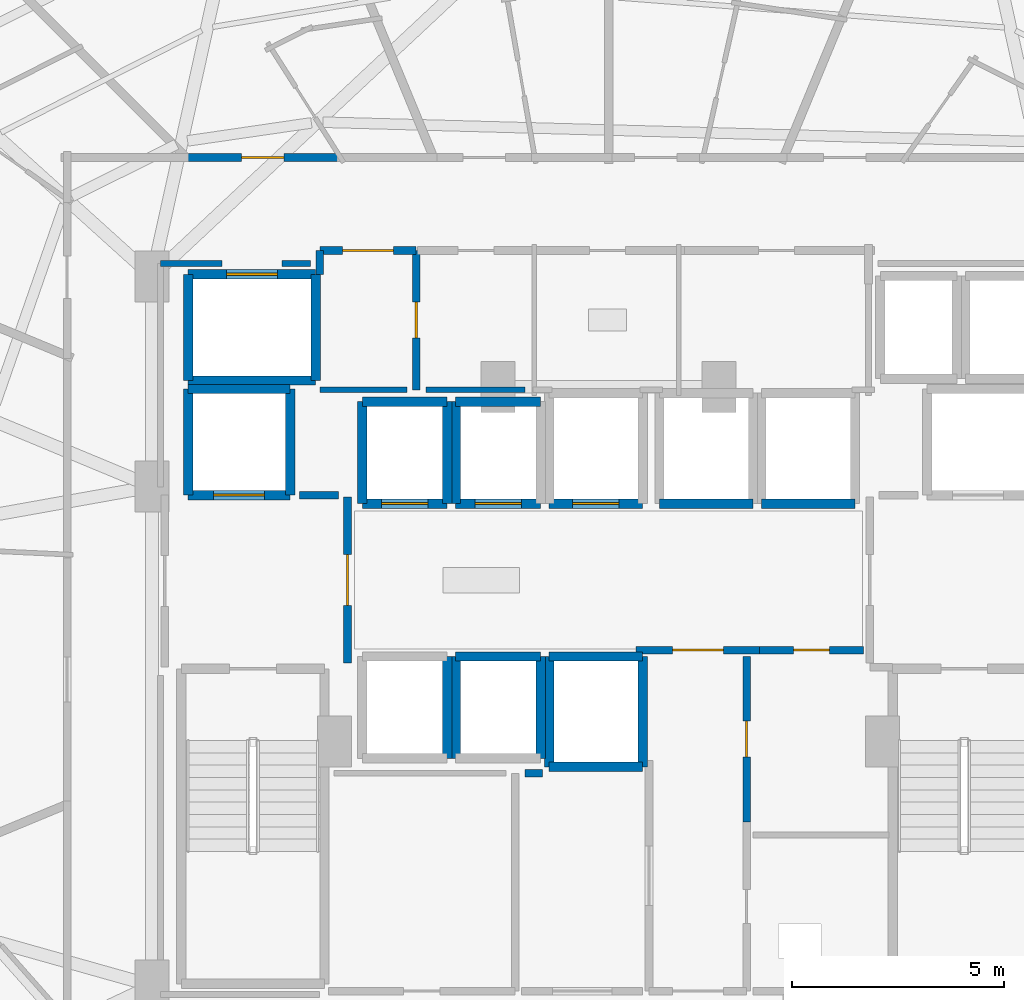
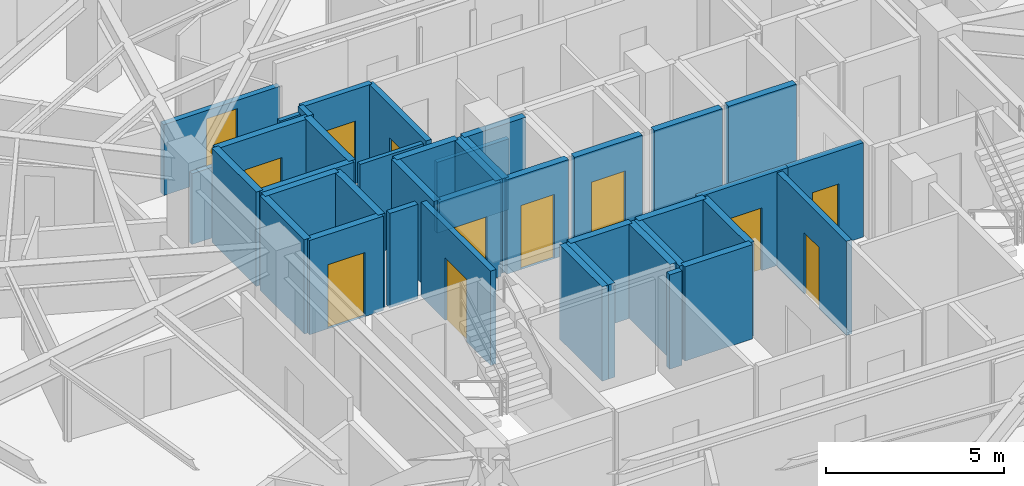
# One storey, part 24 of 30: 40 walls, 12 doors, 12 openings.
"""IFC4 building model written with IfcOpenShell, lengths in metres."""

from ifc_helpers import new_model, si_unit, direction, frame, frame_2d, origin, place, context, subcontext, project, spatial, rectangle, extrude, material, layer, layer_set, type_object, element, fill, save


model = new_model("IFC4")

# Units and contexts
model_context = context("Model", 3, precision=1e-05, world=origin(), true_north=direction((0.0, 1.0)))
body_context = subcontext(model_context, "Body", "Model", "MODEL_VIEW")
ifc_project = project(units=[si_unit("LENGTHUNIT", "METRE"), si_unit("AREAUNIT", "SQUARE_METRE"), si_unit("VOLUMEUNIT", "CUBIC_METRE"), si_unit("PLANEANGLEUNIT", "RADIAN"), si_unit("MASSUNIT", "GRAM", prefix="KILO")], contexts=[model_context])

# Site, building, storey
site_placement = place(None, origin())
site = spatial("IfcSite", under=ifc_project, at=site_placement, CompositionType="ELEMENT")
building_placement = place(site_placement, origin())
building = spatial("IfcBuilding", under=site, at=building_placement, Name="Vorneva Point Tower", CompositionType="ELEMENT")
storey_placement = place(building_placement, frame((0.0, 0.0, 106.800048828125)))
storey = spatial("IfcBuildingStorey", under=building, at=storey_placement, Name="L28", CompositionType="ELEMENT", Elevation=106.800048828125)

# Wall, opening, door
ifc_material_1 = material(Name="Concrete B60 (C50/60)", Category="concrete")
ifc_layer_1 = layer(ifc_material_1, 0.5)
ifc_layer_set_1 = layer_set([ifc_layer_1], Name="Concrete B60 (C50/60)")
wall_type_1 = type_object("IfcWallType", Name="WL-CORE-500", PredefinedType="SHEAR", material=ifc_layer_set_1)
wall_1_placement = place(storey_placement, frame((28.10009765625, 28.0, 0.0), z_axis=(0.0, 0.0, 1.0), x_axis=(1.0, 0.0, 0.0)))
wall_1 = element("IfcWall", 1, at=wall_1_placement, inside=storey, type_object=wall_type_1, Name="L28 Lift FFL1 Shaft Wall -Y", PredefinedType="SHEAR", context=body_context, shape_type="SweptSolid", body=[
    extrude(rectangle(XDim=2.39990234375, YDim=0.219970703125, at=frame_2d((1.199951171875, 0.0))), origin(), (0.0, 0.0, 1.0), 3.239990234375),
])
opening_1_placement = place(wall_1_placement, frame((0.60009765625, 0.0, 0.0)))
opening_1 = element("IfcOpeningElement", 2, at=opening_1_placement, cuts=wall_1, Name="Opening LD-02", PredefinedType="OPENING", context=body_context, shape_type="SweptSolid", body=[
    extrude(rectangle(XDim=1.199951171875, YDim=2.199951171875, at=frame_2d((0.60009765625, 1.10009765625))), frame((0.0, 0.125, 0.0), z_axis=(0.0, -1.0, 0.0), x_axis=(1.0, 0.0, 0.0)), (0.0, 0.0, 1.0), 0.249755859375),
])
ifc_material_2 = material(Name="Brushed stainless steel S304", Category="steel")
door_type_1 = type_object("IfcDoorType", Name="LD-FIRE-1200", OperationType="SLIDING_TO_LEFT", PredefinedType="DOOR", material=ifc_material_2)
door_1_placement = place(opening_1_placement, origin())
door_1 = element("IfcDoor", 3, at=door_1_placement, inside=storey, type_object=door_type_1, Name="L28 Lift FFL1 Sliding Landing Door", OperationType="SLIDING_TO_LEFT", OverallHeight=2.199951171875, OverallWidth=1.199951171875, PredefinedType="DOOR", context=body_context, shape_type="SweptSolid", body=[
    extrude(rectangle(XDim=1.199951171875, YDim=2.199951171875, at=frame_2d((0.60009765625, 1.10009765625))), frame((0.0, 0.02490234375, 0.0), z_axis=(0.0, -1.0, 0.0), x_axis=(1.0, 0.0, 0.0)), (0.0, 0.0, 1.0), 0.050048828125),
])
fill(opening_1, door_1)

# Walls
wall_2_placement = place(storey_placement, frame((30.5, 28.0, 0.0), z_axis=(0.0, 0.0, 1.0), x_axis=(0.0, 1.0, 0.0)))
element("IfcWall", 4, at=wall_2_placement, inside=storey, type_object=wall_type_1, Name="L28 Lift FFL1 Shaft Wall +X", PredefinedType="SHEAR", context=body_context, shape_type="SweptSolid", body=[
    extrude(rectangle(XDim=2.5, YDim=0.219970703125, at=frame_2d((1.25, 0.0))), origin(), (0.0, 0.0, 1.0), 3.239990234375),
])
wall_3_placement = place(storey_placement, frame((30.5, 30.5, 0.0), z_axis=(0.0, 0.0, 1.0), x_axis=(-1.0, 0.0, 0.0)))
element("IfcWall", 5, at=wall_3_placement, inside=storey, type_object=wall_type_1, Name="L28 Lift FFL1 Shaft Wall +Y", PredefinedType="SHEAR", context=body_context, shape_type="SweptSolid", body=[
    extrude(rectangle(XDim=2.39990234375, YDim=0.219970703125, at=frame_2d((1.199951171875, 0.0))), origin(), (0.0, 0.0, 1.0), 3.239990234375),
])
wall_4_placement = place(storey_placement, frame((28.10009765625, 30.5, 0.0), z_axis=(0.0, 0.0, 1.0), x_axis=(0.0, -1.0, 0.0)))
element("IfcWall", 6, at=wall_4_placement, inside=storey, type_object=wall_type_1, Name="L28 Lift FFL1 Shaft Wall -X", PredefinedType="SHEAR", context=body_context, shape_type="SweptSolid", body=[
    extrude(rectangle(XDim=2.5, YDim=0.219970703125, at=frame_2d((1.25, 0.0))), origin(), (0.0, 0.0, 1.0), 3.239990234375),
])
ifc_material_3 = material(Name="Fire-rated acoustic gypsum stud partition", Category="gypsum")
ifc_layer_2 = layer(ifc_material_3, 0.139892578125)
ifc_layer_set_2 = layer_set([ifc_layer_2], Name="Fire-rated acoustic gypsum stud partition")
wall_type_2 = type_object("IfcWallType", Name="WL-PART-140", PredefinedType="PARTITIONING", material=ifc_layer_set_2)
wall_5_placement = place(storey_placement, frame((31.199951171875, 30.47998046875, 0.0), z_axis=(0.0, 0.0, 1.0), x_axis=(1.0, 0.0, 0.0)))
element("IfcWall", 7, at=wall_5_placement, inside=storey, type_object=wall_type_2, Name="L28 Interior Closure Partition 095", PredefinedType="PARTITIONING", context=body_context, shape_type="SweptSolid", body=[
    extrude(rectangle(XDim=2.050048828125, YDim=0.139892578125, at=frame_2d((1.02490234375, 0.0))), origin(), (0.0, 0.0, 1.0), 3.239990234375),
])
wall_6_placement = place(storey_placement, frame((33.699951171875, 30.47998046875, 0.0), z_axis=(0.0, 0.0, 1.0), x_axis=(1.0, 0.0, 0.0)))
element("IfcWall", 8, at=wall_6_placement, inside=storey, type_object=wall_type_2, Name="L28 Interior Closure Partition 096", PredefinedType="PARTITIONING", context=body_context, shape_type="SweptSolid", body=[
    extrude(rectangle(XDim=2.330078125, YDim=0.139892578125, at=frame_2d((1.1650390625, 0.0))), origin(), (0.0, 0.0, 1.0), 2.431884765625),
])
wall_7_placement = place(storey_placement, frame((27.449951171875, 33.449951171875, 0.0), z_axis=(0.0, 0.0, 1.0), x_axis=(1.0, 0.0, 0.0)))
element("IfcWall", 9, at=wall_7_placement, inside=storey, type_object=wall_type_2, Name="L28 Interior Closure Partition 110", PredefinedType="PARTITIONING", context=body_context, shape_type="SweptSolid", body=[
    extrude(rectangle(XDim=1.444091796875, YDim=0.139892578125, at=frame_2d((0.72216796875, 0.0))), origin(), (0.0, 0.0, 1.0), 2.431884765625),
])
wall_8_placement = place(storey_placement, frame((30.305908203125, 33.449951171875, 0.0), z_axis=(0.0, 0.0, 1.0), x_axis=(1.0, 0.0, 0.0)))
element("IfcWall", 10, at=wall_8_placement, inside=storey, type_object=wall_type_2, Name="L28 Interior Closure Partition 111", PredefinedType="PARTITIONING", context=body_context, shape_type="SweptSolid", body=[
    extrude(rectangle(XDim=0.674072265625, YDim=0.139892578125, at=frame_2d((0.3369140625, 0.0))), origin(), (0.0, 0.0, 1.0), 3.239990234375),
])

# Wall, opening, door
ifc_material_4 = material(Name="Autoclaved aerated concrete blockwork", Category="masonry")
ifc_layer_3 = layer(ifc_material_4, 0.179931640625)
ifc_layer_set_3 = layer_set([ifc_layer_3], Name="Autoclaved aerated concrete blockwork")
wall_type_3 = type_object("IfcWallType", Name="WL-PART-180", PredefinedType="PARTITIONING", material=ifc_layer_set_3)
wall_9_placement = place(storey_placement, frame((31.85009765625, 24.044921875, 0.0), z_axis=(0.0, 0.0, 1.0), x_axis=(0.0, 1.0, 0.0)))
wall_9 = element("IfcWall", 11, at=wall_9_placement, inside=storey, type_object=wall_type_3, Name="L28 Interior Partition 001", PredefinedType="PARTITIONING", context=body_context, shape_type="SweptSolid", body=[
    extrude(rectangle(XDim=3.91015625, YDim=0.179931640625, at=frame_2d((1.955078125, 0.0))), origin(), (0.0, 0.0, 1.0), 3.239990234375),
])
opening_2_placement = place(wall_9_placement, frame((1.35498046875, 0.0, 0.0)))
opening_2 = element("IfcOpeningElement", 12, at=opening_2_placement, cuts=wall_9, Name="Opening FD-02", PredefinedType="OPENING", context=body_context, shape_type="SweptSolid", body=[
    extrude(rectangle(XDim=1.199951171875, YDim=2.14990234375, at=frame_2d((0.60009765625, 1.074951171875))), frame((0.0, 0.10498046875, 0.0), z_axis=(0.0, -1.0, 0.0), x_axis=(1.0, 0.0, 0.0)), (0.0, 0.0, 1.0), 0.209716796875),
])
ifc_material_5 = material(Name="Fire-rated powder-coated steel", Category="steel")
door_type_2 = type_object("IfcDoorType", Name="DR-FFL-1200", OperationType="NOTDEFINED", PredefinedType="DOOR", material=ifc_material_5)
door_2_placement = place(opening_2_placement, origin())
door_2 = element("IfcDoor", 13, at=door_2_placement, inside=storey, type_object=door_type_2, Name="L28 Door West Firefighting Lobby / Central Lift Lobby", OperationType="SINGLE_SWING_LEFT", OverallHeight=2.14990234375, OverallWidth=1.199951171875, PredefinedType="DOOR", context=body_context, shape_type="SweptSolid", body=[
    extrude(rectangle(XDim=1.199951171875, YDim=2.14990234375, at=frame_2d((0.60009765625, 1.074951171875))), frame((0.0, 0.02490234375, 0.0), z_axis=(0.0, -1.0, 0.0), x_axis=(1.0, 0.0, 0.0)), (0.0, 0.0, 1.0), 0.050048828125),
])
fill(opening_2, door_2)

wall_10_placement = place(storey_placement, frame((33.469970703125, 30.47998046875, 0.0), z_axis=(0.0, 0.0, 1.0), x_axis=(0.0, 1.0, 0.0)))
wall_10 = element("IfcWall", 14, at=wall_10_placement, inside=storey, type_object=wall_type_3, Name="L28 Interior Partition 006", PredefinedType="PARTITIONING", context=body_context, shape_type="SweptSolid", body=[
    extrude(rectangle(XDim=3.280029296875, YDim=0.179931640625, at=frame_2d((1.64013671875, 0.0))), origin(), (0.0, 0.0, 1.0), 3.239990234375),
])
opening_3_placement = place(wall_10_placement, frame((1.215087890625, 0.0, 0.0)))
opening_3 = element("IfcOpeningElement", 15, at=opening_3_placement, cuts=wall_10, Name="Opening ID-02", PredefinedType="OPENING", context=body_context, shape_type="SweptSolid", body=[
    extrude(rectangle(XDim=0.85009765625, YDim=2.10009765625, at=frame_2d((0.425048828125, 1.050048828125))), frame((0.0, 0.10498046875, 0.0), z_axis=(0.0, -1.0, 0.0), x_axis=(1.0, 0.0, 0.0)), (0.0, 0.0, 1.0), 0.209716796875),
])
ifc_material_6 = material(Name="Engineered oak fire-rated door leaf", Category="wood")
door_type_3 = type_object("IfcDoorType", Name="DR-BATH-850", OperationType="NOTDEFINED", PredefinedType="DOOR", material=ifc_material_6)
door_3_placement = place(opening_3_placement, origin())
door_3 = element("IfcDoor", 16, at=door_3_placement, inside=storey, type_object=door_type_3, Name="L28 Door Service Lift Lobby / Core Supply Store", OperationType="SINGLE_SWING_LEFT", OverallHeight=2.10009765625, OverallWidth=0.85009765625, PredefinedType="DOOR", context=body_context, shape_type="SweptSolid", body=[
    extrude(rectangle(XDim=0.85009765625, YDim=2.10009765625, at=frame_2d((0.425048828125, 1.050048828125))), frame((0.0, 0.02490234375, 0.0), z_axis=(0.0, -1.0, 0.0), x_axis=(1.0, 0.0, 0.0)), (0.0, 0.0, 1.0), 0.050048828125),
])
fill(opening_3, door_3)

wall_11_placement = place(storey_placement, frame((33.469970703125, 33.760009765625, 0.0), z_axis=(0.0, 0.0, 1.0), x_axis=(-1.0, 0.0, 0.0)))
wall_11 = element("IfcWall", 17, at=wall_11_placement, inside=storey, type_object=wall_type_3, Name="L28 Interior Partition 007", PredefinedType="PARTITIONING", context=body_context, shape_type="SweptSolid", body=[
    extrude(rectangle(XDim=2.27001953125, YDim=0.179931640625, at=frame_2d((1.135009765625, 0.0))), origin(), (0.0, 0.0, 1.0), 3.239990234375),
])
opening_4_placement = place(wall_11_placement, frame((0.534912109375, 0.0, 0.0)))
opening_4 = element("IfcOpeningElement", 18, at=opening_4_placement, cuts=wall_11, Name="Opening FD-02", PredefinedType="OPENING", context=body_context, shape_type="SweptSolid", body=[
    extrude(rectangle(XDim=1.199951171875, YDim=2.14990234375, at=frame_2d((0.60009765625, 1.074951171875))), frame((0.0, 0.10498046875, 0.0), z_axis=(0.0, -1.0, 0.0), x_axis=(1.0, 0.0, 0.0)), (0.0, 0.0, 1.0), 0.209716796875),
])
door_4_placement = place(opening_4_placement, origin())
door_4 = element("IfcDoor", 19, at=door_4_placement, inside=storey, type_object=door_type_2, Name="L28 Door Service Lift Lobby / L28 Circulation Corridor", OperationType="SINGLE_SWING_RIGHT", OverallHeight=2.14990234375, OverallWidth=1.199951171875, PredefinedType="DOOR", context=body_context, shape_type="SweptSolid", body=[
    extrude(rectangle(XDim=1.199951171875, YDim=2.14990234375, at=frame_2d((0.60009765625, 1.074951171875))), frame((0.0, 0.02490234375, 0.0), z_axis=(0.0, -1.0, 0.0), x_axis=(1.0, 0.0, 0.0)), (0.0, 0.0, 1.0), 0.050048828125),
])
fill(opening_4, door_4)

# Wall
wall_12_placement = place(storey_placement, frame((31.199951171875, 33.760009765625, 0.0), z_axis=(0.0, 0.0, 1.0), x_axis=(0.0, -1.0, 0.0)))
element("IfcWall", 20, at=wall_12_placement, inside=storey, type_object=wall_type_3, Name="L28 Interior Partition 008", PredefinedType="PARTITIONING", context=body_context, shape_type="SweptSolid", body=[
    extrude(rectangle(XDim=0.56005859375, YDim=0.179931640625, at=frame_2d((0.280029296875, 0.0))), origin(), (0.0, 0.0, 1.0), 3.239990234375),
])

# Wall, opening, door
wall_13_placement = place(storey_placement, frame((38.64501953125, 24.35009765625, 0.0), z_axis=(0.0, 0.0, 1.0), x_axis=(1.0, 0.0, 0.0)))
wall_13 = element("IfcWall", 21, at=wall_13_placement, inside=storey, type_object=wall_type_3, Name="L28 Interior Partition 009", PredefinedType="PARTITIONING", context=body_context, shape_type="SweptSolid", body=[
    extrude(rectangle(XDim=2.909912109375, YDim=0.179931640625, at=frame_2d((1.455078125, 0.0))), origin(), (0.0, 0.0, 1.0), 3.239990234375),
])
opening_5_placement = place(wall_13_placement, frame((0.85498046875, 0.0, 0.0)))
opening_5 = element("IfcOpeningElement", 22, at=opening_5_placement, cuts=wall_13, Name="Opening FD-02", PredefinedType="OPENING", context=body_context, shape_type="SweptSolid", body=[
    extrude(rectangle(XDim=1.199951171875, YDim=2.14990234375, at=frame_2d((0.60009765625, 1.074951171875))), frame((0.0, 0.10498046875, 0.0), z_axis=(0.0, -1.0, 0.0), x_axis=(1.0, 0.0, 0.0)), (0.0, 0.0, 1.0), 0.209716796875),
])
door_5_placement = place(opening_5_placement, origin())
door_5 = element("IfcDoor", 23, at=door_5_placement, inside=storey, type_object=door_type_2, Name="L28 Door Central Lift Lobby / Core Service Lobby", OperationType="SINGLE_SWING_LEFT", OverallHeight=2.14990234375, OverallWidth=1.199951171875, PredefinedType="DOOR", context=body_context, shape_type="SweptSolid", body=[
    extrude(rectangle(XDim=1.199951171875, YDim=2.14990234375, at=frame_2d((0.60009765625, 1.074951171875))), frame((0.0, 0.02490234375, 0.0), z_axis=(0.0, -1.0, 0.0), x_axis=(1.0, 0.0, 0.0)), (0.0, 0.0, 1.0), 0.050048828125),
])
fill(opening_5, door_5)

wall_14_placement = place(storey_placement, frame((41.554931640625, 24.35009765625, 0.0), z_axis=(0.0, 0.0, 1.0), x_axis=(1.0, 0.0, 0.0)))
wall_14 = element("IfcWall", 24, at=wall_14_placement, inside=storey, type_object=wall_type_3, Name="L28 Interior Partition 010", PredefinedType="PARTITIONING", context=body_context, shape_type="SweptSolid", body=[
    extrude(rectangle(XDim=2.445068359375, YDim=0.179931640625, at=frame_2d((1.22265625, 0.0))), origin(), (0.0, 0.0, 1.0), 3.239990234375),
])
opening_6_placement = place(wall_14_placement, frame((0.797607421875, 0.0, 0.0)))
opening_6 = element("IfcOpeningElement", 25, at=opening_6_placement, cuts=wall_14, Name="Opening ID-02", PredefinedType="OPENING", context=body_context, shape_type="SweptSolid", body=[
    extrude(rectangle(XDim=0.85009765625, YDim=2.10009765625, at=frame_2d((0.425048828125, 1.050048828125))), frame((0.0, 0.10498046875, 0.0), z_axis=(0.0, -1.0, 0.0), x_axis=(1.0, 0.0, 0.0)), (0.0, 0.0, 1.0), 0.209716796875),
])
door_6_placement = place(opening_6_placement, origin())
door_6 = element("IfcDoor", 26, at=door_6_placement, inside=storey, type_object=door_type_3, Name="L28 Door Central Lift Lobby / Valet and Parcel Room", OperationType="SINGLE_SWING_RIGHT", OverallHeight=2.10009765625, OverallWidth=0.85009765625, PredefinedType="DOOR", context=body_context, shape_type="SweptSolid", body=[
    extrude(rectangle(XDim=0.85009765625, YDim=2.10009765625, at=frame_2d((0.425048828125, 1.050048828125))), frame((0.0, 0.02490234375, 0.0), z_axis=(0.0, -1.0, 0.0), x_axis=(1.0, 0.0, 0.0)), (0.0, 0.0, 1.0), 0.050048828125),
])
fill(opening_6, door_6)

wall_15_placement = place(storey_placement, frame((41.25, 20.304931640625, 0.0), z_axis=(0.0, 0.0, 1.0), x_axis=(0.0, 1.0, 0.0)))
wall_15 = element("IfcWall", 27, at=wall_15_placement, inside=storey, type_object=wall_type_3, Name="L28 Interior Partition 012", PredefinedType="PARTITIONING", context=body_context, shape_type="SweptSolid", body=[
    extrude(rectangle(XDim=3.89501953125, YDim=0.179931640625, at=frame_2d((1.947509765625, 0.0))), origin(), (0.0, 0.0, 1.0), 3.239990234375),
])
opening_7_placement = place(wall_15_placement, frame((1.5224609375, 0.0, 0.0)))
opening_7 = element("IfcOpeningElement", 28, at=opening_7_placement, cuts=wall_15, Name="Opening ID-02", PredefinedType="OPENING", context=body_context, shape_type="SweptSolid", body=[
    extrude(rectangle(XDim=0.85009765625, YDim=2.10009765625, at=frame_2d((0.425048828125, 1.050048828125))), frame((0.0, 0.10498046875, 0.0), z_axis=(0.0, -1.0, 0.0), x_axis=(1.0, 0.0, 0.0)), (0.0, 0.0, 1.0), 0.209716796875),
])
door_7_placement = place(opening_7_placement, origin())
door_7 = element("IfcDoor", 29, at=door_7_placement, inside=storey, type_object=door_type_3, Name="L28 Door Core Service Lobby / Valet and Parcel Room", OperationType="SINGLE_SWING_RIGHT", OverallHeight=2.10009765625, OverallWidth=0.85009765625, PredefinedType="DOOR", context=body_context, shape_type="SweptSolid", body=[
    extrude(rectangle(XDim=0.85009765625, YDim=2.10009765625, at=frame_2d((0.425048828125, 1.050048828125))), frame((0.0, 0.02490234375, 0.0), z_axis=(0.0, -1.0, 0.0), x_axis=(1.0, 0.0, 0.0)), (0.0, 0.0, 1.0), 0.050048828125),
])
fill(opening_7, door_7)

wall_16_placement = place(storey_placement, frame((31.74609375, 35.949951171875, 0.0), z_axis=(0.0, 0.0, 1.0), x_axis=(-1.0, 0.0, 0.0)))
wall_16 = element("IfcWall", 30, at=wall_16_placement, inside=storey, type_object=wall_type_3, Name="L28 Interior Partition 035", PredefinedType="PARTITIONING", context=body_context, shape_type="SweptSolid", body=[
    extrude(rectangle(XDim=3.781005859375, YDim=0.179931640625, at=frame_2d((1.890625, 0.0))), origin(), (0.0, 0.0, 1.0), 2.431884765625),
])
opening_8_placement = place(wall_16_placement, frame((1.390380859375, 0.0, 0.0)))
opening_8 = element("IfcOpeningElement", 31, at=opening_8_placement, cuts=wall_16, Name="Opening UD-01", PredefinedType="OPENING", context=body_context, shape_type="SweptSolid", body=[
    extrude(rectangle(XDim=1.0, YDim=2.14990234375, at=frame_2d((0.5, 1.074951171875))), frame((0.0, 0.10498046875, 0.0), z_axis=(0.0, -1.0, 0.0), x_axis=(1.0, 0.0, 0.0)), (0.0, 0.0, 1.0), 0.209716796875),
])
door_type_4 = type_object("IfcDoorType", Name="DR-UNIT-1000", OperationType="NOTDEFINED", PredefinedType="DOOR", material=ifc_material_6)
door_8_placement = place(opening_8_placement, origin())
door_8 = element("IfcDoor", 32, at=door_8_placement, inside=storey, type_object=door_type_4, Name="L28 Door L28 Circulation Corridor / Twin Guest Room L28-05", OperationType="SINGLE_SWING_LEFT", OverallHeight=2.14990234375, OverallWidth=1.0, PredefinedType="DOOR", context=body_context, shape_type="SweptSolid", body=[
    extrude(rectangle(XDim=1.0, YDim=2.14990234375, at=frame_2d((0.5, 1.074951171875))), frame((0.0, 0.02490234375, 0.0), z_axis=(0.0, -1.0, 0.0), x_axis=(1.0, 0.0, 0.0)), (0.0, 0.0, 1.0), 0.050048828125),
])
fill(opening_8, door_8)

# Walls
wall_17_placement = place(storey_placement, frame((31.635009765625, 28.0, 0.0), z_axis=(0.0, 0.0, 1.0), x_axis=(-1.0, 0.0, 0.0)))
element("IfcWall", 33, at=wall_17_placement, inside=storey, type_object=wall_type_3, Name="L28 Interior Closure Partition 093", PredefinedType="PARTITIONING", context=body_context, shape_type="SweptSolid", body=[
    extrude(rectangle(XDim=0.9150390625, YDim=0.179931640625, at=frame_2d((0.45751953125, 0.0))), origin(), (0.0, 0.0, 1.0), 3.239990234375),
])
wall_18_placement = place(storey_placement, frame((36.43896484375, 21.449951171875, 0.0), z_axis=(0.0, 0.0, 1.0), x_axis=(-1.0, 0.0, 0.0)))
element("IfcWall", 34, at=wall_18_placement, inside=storey, type_object=wall_type_3, Name="L28 Interior Closure Partition 102", PredefinedType="PARTITIONING", context=body_context, shape_type="SweptSolid", body=[
    extrude(rectangle(XDim=0.408935546875, YDim=0.179931640625, at=frame_2d((0.20458984375, 0.0))), origin(), (0.0, 0.0, 1.0), 3.239990234375),
])

# Wall, opening, door
ifc_material_7 = material(Name="Concrete B50 (C40/50)", Category="concrete")
ifc_layer_4 = layer(ifc_material_7, 0.219970703125)
ifc_layer_set_4 = layer_set([ifc_layer_4], Name="Concrete B50 (C40/50)")
wall_type_4 = type_object("IfcWallType", Name="WL-SHFT-220", PredefinedType="SOLIDWALL", material=ifc_layer_set_4)
wall_19_placement = place(storey_placement, frame((32.199951171875, 27.800048828125, 0.0), z_axis=(0.0, 0.0, 1.0), x_axis=(1.0, 0.0, 0.0)))
wall_19 = element("IfcWall", 35, at=wall_19_placement, inside=storey, type_object=wall_type_4, Name="L28 Lift PL1 Shaft Wall -Y", PredefinedType="SOLIDWALL", context=body_context, shape_type="SweptSolid", body=[
    extrude(rectangle(XDim=2.0, YDim=0.219970703125, at=frame_2d((1.0, 0.0))), origin(), (0.0, 0.0, 1.0), 3.239990234375),
])
opening_9_placement = place(wall_19_placement, frame((0.449951171875, 0.0, 0.0)))
opening_9 = element("IfcOpeningElement", 36, at=opening_9_placement, cuts=wall_19, Name="Opening LD-01", PredefinedType="OPENING", context=body_context, shape_type="SweptSolid", body=[
    extrude(rectangle(XDim=1.10009765625, YDim=2.199951171875, at=frame_2d((0.550048828125, 1.10009765625))), frame((0.0, 0.125, 0.0), z_axis=(0.0, -1.0, 0.0), x_axis=(1.0, 0.0, 0.0)), (0.0, 0.0, 1.0), 0.249755859375),
])
door_type_5 = type_object("IfcDoorType", Name="LD-PASS-1100", OperationType="SLIDING_TO_LEFT", PredefinedType="DOOR", material=ifc_material_2)
door_9_placement = place(opening_9_placement, origin())
door_9 = element("IfcDoor", 37, at=door_9_placement, inside=storey, type_object=door_type_5, Name="L28 Lift PL1 Sliding Landing Door", OperationType="SLIDING_TO_LEFT", OverallHeight=2.199951171875, OverallWidth=1.10009765625, PredefinedType="DOOR", context=body_context, shape_type="SweptSolid", body=[
    extrude(rectangle(XDim=1.10009765625, YDim=2.199951171875, at=frame_2d((0.550048828125, 1.10009765625))), frame((0.0, 0.02490234375, 0.0), z_axis=(0.0, -1.0, 0.0), x_axis=(1.0, 0.0, 0.0)), (0.0, 0.0, 1.0), 0.050048828125),
])
fill(opening_9, door_9)

# Walls
wall_20_placement = place(storey_placement, frame((34.199951171875, 27.800048828125, 0.0), z_axis=(0.0, 0.0, 1.0), x_axis=(0.0, 1.0, 0.0)))
element("IfcWall", 38, at=wall_20_placement, inside=storey, type_object=wall_type_4, Name="L28 Lift PL1 Shaft Wall +X", PredefinedType="SOLIDWALL", context=body_context, shape_type="SweptSolid", body=[
    extrude(rectangle(XDim=2.39990234375, YDim=0.219970703125, at=frame_2d((1.199951171875, 0.0))), origin(), (0.0, 0.0, 1.0), 3.239990234375),
])
wall_21_placement = place(storey_placement, frame((34.199951171875, 30.199951171875, 0.0), z_axis=(0.0, 0.0, 1.0), x_axis=(-1.0, 0.0, 0.0)))
element("IfcWall", 39, at=wall_21_placement, inside=storey, type_object=wall_type_4, Name="L28 Lift PL1 Shaft Wall +Y", PredefinedType="SOLIDWALL", context=body_context, shape_type="SweptSolid", body=[
    extrude(rectangle(XDim=2.0, YDim=0.219970703125, at=frame_2d((1.0, 0.0))), origin(), (0.0, 0.0, 1.0), 3.239990234375),
])
wall_22_placement = place(storey_placement, frame((32.199951171875, 30.199951171875, 0.0), z_axis=(0.0, 0.0, 1.0), x_axis=(0.0, -1.0, 0.0)))
element("IfcWall", 40, at=wall_22_placement, inside=storey, type_object=wall_type_4, Name="L28 Lift PL1 Shaft Wall -X", PredefinedType="SOLIDWALL", context=body_context, shape_type="SweptSolid", body=[
    extrude(rectangle(XDim=2.39990234375, YDim=0.219970703125, at=frame_2d((1.199951171875, 0.0))), origin(), (0.0, 0.0, 1.0), 3.239990234375),
])

# Wall, opening, door
wall_23_placement = place(storey_placement, frame((34.39990234375, 27.800048828125, 0.0), z_axis=(0.0, 0.0, 1.0), x_axis=(1.0, 0.0, 0.0)))
wall_23 = element("IfcWall", 41, at=wall_23_placement, inside=storey, type_object=wall_type_4, Name="L28 Lift PL2 Shaft Wall -Y", PredefinedType="SOLIDWALL", context=body_context, shape_type="SweptSolid", body=[
    extrude(rectangle(XDim=2.0, YDim=0.219970703125, at=frame_2d((1.0, 0.0))), origin(), (0.0, 0.0, 1.0), 3.239990234375),
])
opening_10_placement = place(wall_23_placement, frame((0.449951171875, 0.0, 0.0)))
opening_10 = element("IfcOpeningElement", 42, at=opening_10_placement, cuts=wall_23, Name="Opening LD-01", PredefinedType="OPENING", context=body_context, shape_type="SweptSolid", body=[
    extrude(rectangle(XDim=1.10009765625, YDim=2.199951171875, at=frame_2d((0.550048828125, 1.10009765625))), frame((0.0, 0.125, 0.0), z_axis=(0.0, -1.0, 0.0), x_axis=(1.0, 0.0, 0.0)), (0.0, 0.0, 1.0), 0.249755859375),
])
door_10_placement = place(opening_10_placement, origin())
door_10 = element("IfcDoor", 43, at=door_10_placement, inside=storey, type_object=door_type_5, Name="L28 Lift PL2 Sliding Landing Door", OperationType="SLIDING_TO_LEFT", OverallHeight=2.199951171875, OverallWidth=1.10009765625, PredefinedType="DOOR", context=body_context, shape_type="SweptSolid", body=[
    extrude(rectangle(XDim=1.10009765625, YDim=2.199951171875, at=frame_2d((0.550048828125, 1.10009765625))), frame((0.0, 0.02490234375, 0.0), z_axis=(0.0, -1.0, 0.0), x_axis=(1.0, 0.0, 0.0)), (0.0, 0.0, 1.0), 0.050048828125),
])
fill(opening_10, door_10)

# Walls
wall_24_placement = place(storey_placement, frame((36.39990234375, 30.199951171875, 0.0), z_axis=(0.0, 0.0, 1.0), x_axis=(-1.0, 0.0, 0.0)))
element("IfcWall", 44, at=wall_24_placement, inside=storey, type_object=wall_type_4, Name="L28 Lift PL2 Shaft Wall +Y", PredefinedType="SOLIDWALL", context=body_context, shape_type="SweptSolid", body=[
    extrude(rectangle(XDim=2.0, YDim=0.219970703125, at=frame_2d((1.0, 0.0))), origin(), (0.0, 0.0, 1.0), 3.239990234375),
])
wall_25_placement = place(storey_placement, frame((34.39990234375, 30.199951171875, 0.0), z_axis=(0.0, 0.0, 1.0), x_axis=(0.0, -1.0, 0.0)))
element("IfcWall", 45, at=wall_25_placement, inside=storey, type_object=wall_type_4, Name="L28 Lift PL2 Shaft Wall -X", PredefinedType="SOLIDWALL", context=body_context, shape_type="SweptSolid", body=[
    extrude(rectangle(XDim=2.39990234375, YDim=0.219970703125, at=frame_2d((1.199951171875, 0.0))), origin(), (0.0, 0.0, 1.0), 3.239990234375),
])

# Wall, opening, door
wall_26_placement = place(storey_placement, frame((36.60009765625, 27.800048828125, 0.0), z_axis=(0.0, 0.0, 1.0), x_axis=(1.0, 0.0, 0.0)))
wall_26 = element("IfcWall", 46, at=wall_26_placement, inside=storey, type_object=wall_type_4, Name="L28 Lift PL3 Shaft Wall -Y", PredefinedType="SOLIDWALL", context=body_context, shape_type="SweptSolid", body=[
    extrude(rectangle(XDim=2.199951171875, YDim=0.219970703125, at=frame_2d((1.10009765625, 0.0))), origin(), (0.0, 0.0, 1.0), 3.239990234375),
])
opening_11_placement = place(wall_26_placement, frame((0.550048828125, 0.0, 0.0)))
opening_11 = element("IfcOpeningElement", 47, at=opening_11_placement, cuts=wall_26, Name="Opening LD-01", PredefinedType="OPENING", context=body_context, shape_type="SweptSolid", body=[
    extrude(rectangle(XDim=1.10009765625, YDim=2.199951171875, at=frame_2d((0.550048828125, 1.10009765625))), frame((0.0, 0.125, 0.0), z_axis=(0.0, -1.0, 0.0), x_axis=(1.0, 0.0, 0.0)), (0.0, 0.0, 1.0), 0.249755859375),
])
door_11_placement = place(opening_11_placement, origin())
door_11 = element("IfcDoor", 48, at=door_11_placement, inside=storey, type_object=door_type_5, Name="L28 Lift PL3 Sliding Landing Door", OperationType="SLIDING_TO_LEFT", OverallHeight=2.199951171875, OverallWidth=1.10009765625, PredefinedType="DOOR", context=body_context, shape_type="SweptSolid", body=[
    extrude(rectangle(XDim=1.10009765625, YDim=2.199951171875, at=frame_2d((0.550048828125, 1.10009765625))), frame((0.0, 0.02490234375, 0.0), z_axis=(0.0, -1.0, 0.0), x_axis=(1.0, 0.0, 0.0)), (0.0, 0.0, 1.0), 0.050048828125),
])
fill(opening_11, door_11)

# Walls
for number, where, z_axis, x_axis, name in (
    (49, (34.199951171875, 21.800048828125, 0.0), (0.0, 0.0, 1.0), (0.0, 1.0, 0.0), "L28 Lift PL4 Shaft Wall +X"),
    (50, (36.39990234375, 21.800048828125, 0.0), (0.0, 0.0, 1.0), (0.0, 1.0, 0.0), "L28 Lift PL5 Shaft Wall +X"),
):
    element("IfcWall", number, at=place(storey_placement, frame(where, z_axis=z_axis, x_axis=x_axis)), inside=storey, type_object=wall_type_4, Name=name, PredefinedType="SOLIDWALL", context=body_context, shape_type="SweptSolid", body=[
        extrude(rectangle(XDim=2.39990234375, YDim=0.219970703125, at=frame_2d((1.199951171875, 0.0))), origin(), (0.0, 0.0, 1.0), 3.239990234375),
    ])
wall_27_placement = place(storey_placement, frame((36.39990234375, 24.199951171875, 0.0), z_axis=(0.0, 0.0, 1.0), x_axis=(-1.0, 0.0, 0.0)))
element("IfcWall", 51, at=wall_27_placement, inside=storey, type_object=wall_type_4, Name="L28 Lift PL5 Shaft Wall +Y", PredefinedType="SOLIDWALL", context=body_context, shape_type="SweptSolid", body=[
    extrude(rectangle(XDim=2.0, YDim=0.219970703125, at=frame_2d((1.0, 0.0))), origin(), (0.0, 0.0, 1.0), 3.239990234375),
])
wall_28_placement = place(storey_placement, frame((34.39990234375, 24.199951171875, 0.0), z_axis=(0.0, 0.0, 1.0), x_axis=(0.0, -1.0, 0.0)))
element("IfcWall", 52, at=wall_28_placement, inside=storey, type_object=wall_type_4, Name="L28 Lift PL5 Shaft Wall -X", PredefinedType="SOLIDWALL", context=body_context, shape_type="SweptSolid", body=[
    extrude(rectangle(XDim=2.39990234375, YDim=0.219970703125, at=frame_2d((1.199951171875, 0.0))), origin(), (0.0, 0.0, 1.0), 3.239990234375),
])
wall_29_placement = place(storey_placement, frame((36.60009765625, 21.60009765625, 0.0), z_axis=(0.0, 0.0, 1.0), x_axis=(1.0, 0.0, 0.0)))
element("IfcWall", 53, at=wall_29_placement, inside=storey, type_object=wall_type_4, Name="L28 Lift PL6 Shaft Wall -Y", PredefinedType="SOLIDWALL", context=body_context, shape_type="SweptSolid", body=[
    extrude(rectangle(XDim=2.199951171875, YDim=0.219970703125, at=frame_2d((1.10009765625, 0.0))), origin(), (0.0, 0.0, 1.0), 3.239990234375),
])
wall_30_placement = place(storey_placement, frame((38.800048828125, 21.60009765625, 0.0), z_axis=(0.0, 0.0, 1.0), x_axis=(0.0, 1.0, 0.0)))
element("IfcWall", 54, at=wall_30_placement, inside=storey, type_object=wall_type_4, Name="L28 Lift PL6 Shaft Wall +X", PredefinedType="SOLIDWALL", context=body_context, shape_type="SweptSolid", body=[
    extrude(rectangle(XDim=2.599853515625, YDim=0.219970703125, at=frame_2d((1.2998046875, 0.0))), origin(), (0.0, 0.0, 1.0), 3.239990234375),
])
wall_31_placement = place(storey_placement, frame((38.800048828125, 24.199951171875, 0.0), z_axis=(0.0, 0.0, 1.0), x_axis=(-1.0, 0.0, 0.0)))
element("IfcWall", 55, at=wall_31_placement, inside=storey, type_object=wall_type_4, Name="L28 Lift PL6 Shaft Wall +Y", PredefinedType="SOLIDWALL", context=body_context, shape_type="SweptSolid", body=[
    extrude(rectangle(XDim=2.199951171875, YDim=0.219970703125, at=frame_2d((1.10009765625, 0.0))), origin(), (0.0, 0.0, 1.0), 3.239990234375),
])
wall_32_placement = place(storey_placement, frame((36.60009765625, 24.199951171875, 0.0), z_axis=(0.0, 0.0, 1.0), x_axis=(0.0, -1.0, 0.0)))
element("IfcWall", 56, at=wall_32_placement, inside=storey, type_object=wall_type_4, Name="L28 Lift PL6 Shaft Wall -X", PredefinedType="SOLIDWALL", context=body_context, shape_type="SweptSolid", body=[
    extrude(rectangle(XDim=2.599853515625, YDim=0.219970703125, at=frame_2d((1.2998046875, 0.0))), origin(), (0.0, 0.0, 1.0), 3.239990234375),
])
for number, where, z_axis, x_axis, name in (
    (57, (39.199951171875, 27.800048828125, 0.0), (0.0, 0.0, 1.0), (1.0, 0.0, 0.0), "L28 Lift PL7 Shaft Wall -Y"),
    (58, (41.60009765625, 27.800048828125, 0.0), (0.0, 0.0, 1.0), (1.0, 0.0, 0.0), "L28 Lift PL8 Shaft Wall -Y"),
):
    element("IfcWall", number, at=place(storey_placement, frame(where, z_axis=z_axis, x_axis=x_axis)), inside=storey, type_object=wall_type_4, Name=name, PredefinedType="SOLIDWALL", context=body_context, shape_type="SweptSolid", body=[
        extrude(rectangle(XDim=2.199951171875, YDim=0.219970703125, at=frame_2d((1.10009765625, 0.0))), origin(), (0.0, 0.0, 1.0), 3.239990234375),
    ])
wall_33_placement = place(storey_placement, frame((28.10009765625, 30.699951171875, 0.0), z_axis=(0.0, 0.0, 1.0), x_axis=(1.0, 0.0, 0.0)))
element("IfcWall", 59, at=wall_33_placement, inside=storey, type_object=wall_type_4, Name="L28 Lift SVL1 Shaft Wall -Y", PredefinedType="SOLIDWALL", context=body_context, shape_type="SweptSolid", body=[
    extrude(rectangle(XDim=3.0, YDim=0.219970703125, at=frame_2d((1.5, 0.0))), origin(), (0.0, 0.0, 1.0), 3.239990234375),
])
wall_34_placement = place(storey_placement, frame((31.10009765625, 30.699951171875, 0.0), z_axis=(0.0, 0.0, 1.0), x_axis=(0.0, 1.0, 0.0)))
element("IfcWall", 60, at=wall_34_placement, inside=storey, type_object=wall_type_4, Name="L28 Lift SVL1 Shaft Wall +X", PredefinedType="SOLIDWALL", context=body_context, shape_type="SweptSolid", body=[
    extrude(rectangle(XDim=2.5, YDim=0.219970703125, at=frame_2d((1.25, 0.0))), origin(), (0.0, 0.0, 1.0), 3.239990234375),
])

# Wall, opening, door
wall_35_placement = place(storey_placement, frame((31.10009765625, 33.199951171875, 0.0), z_axis=(0.0, 0.0, 1.0), x_axis=(-1.0, 0.0, 0.0)))
wall_35 = element("IfcWall", 61, at=wall_35_placement, inside=storey, type_object=wall_type_4, Name="L28 Lift SVL1 Shaft Wall +Y", PredefinedType="SOLIDWALL", context=body_context, shape_type="SweptSolid", body=[
    extrude(rectangle(XDim=3.0, YDim=0.219970703125, at=frame_2d((1.5, 0.0))), origin(), (0.0, 0.0, 1.0), 3.239990234375),
])
opening_12_placement = place(wall_35_placement, frame((0.89990234375, 0.0, 0.0)))
opening_12 = element("IfcOpeningElement", 62, at=opening_12_placement, cuts=wall_35, Name="Opening LD-02", PredefinedType="OPENING", context=body_context, shape_type="SweptSolid", body=[
    extrude(rectangle(XDim=1.199951171875, YDim=2.199951171875, at=frame_2d((0.60009765625, 1.10009765625))), frame((0.0, 0.125, 0.0), z_axis=(0.0, -1.0, 0.0), x_axis=(1.0, 0.0, 0.0)), (0.0, 0.0, 1.0), 0.249755859375),
])
door_12_placement = place(opening_12_placement, origin())
door_12 = element("IfcDoor", 63, at=door_12_placement, inside=storey, type_object=door_type_1, Name="L28 Lift SVL1 Sliding Landing Door", OperationType="SLIDING_TO_LEFT", OverallHeight=2.199951171875, OverallWidth=1.199951171875, PredefinedType="DOOR", context=body_context, shape_type="SweptSolid", body=[
    extrude(rectangle(XDim=1.199951171875, YDim=2.199951171875, at=frame_2d((0.60009765625, 1.10009765625))), frame((0.0, 0.02490234375, 0.0), z_axis=(0.0, -1.0, 0.0), x_axis=(1.0, 0.0, 0.0)), (0.0, 0.0, 1.0), 0.050048828125),
])
fill(opening_12, door_12)

# Wall
wall_36_placement = place(storey_placement, frame((28.10009765625, 33.199951171875, 0.0), z_axis=(0.0, 0.0, 1.0), x_axis=(0.0, -1.0, 0.0)))
element("IfcWall", 64, at=wall_36_placement, inside=storey, type_object=wall_type_4, Name="L28 Lift SVL1 Shaft Wall -X", PredefinedType="SOLIDWALL", context=body_context, shape_type="SweptSolid", body=[
    extrude(rectangle(XDim=2.5, YDim=0.219970703125, at=frame_2d((1.25, 0.0))), origin(), (0.0, 0.0, 1.0), 3.239990234375),
])

save(model, "model.ifc")
